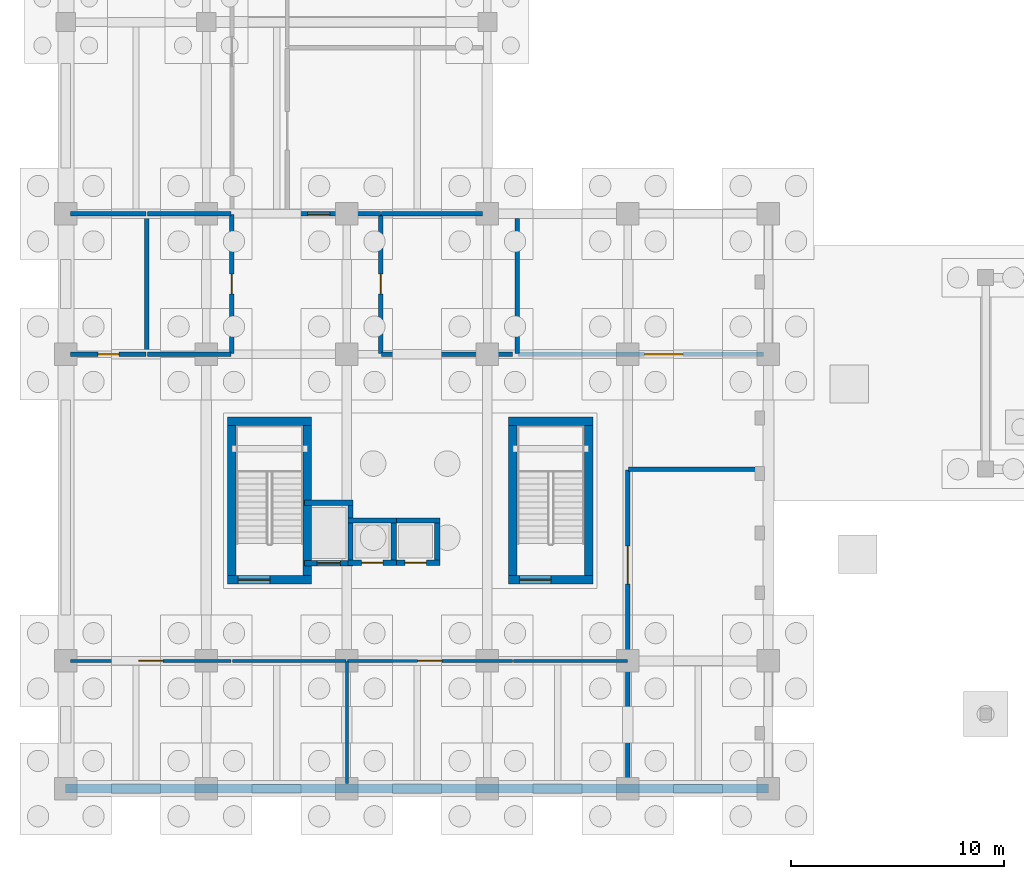
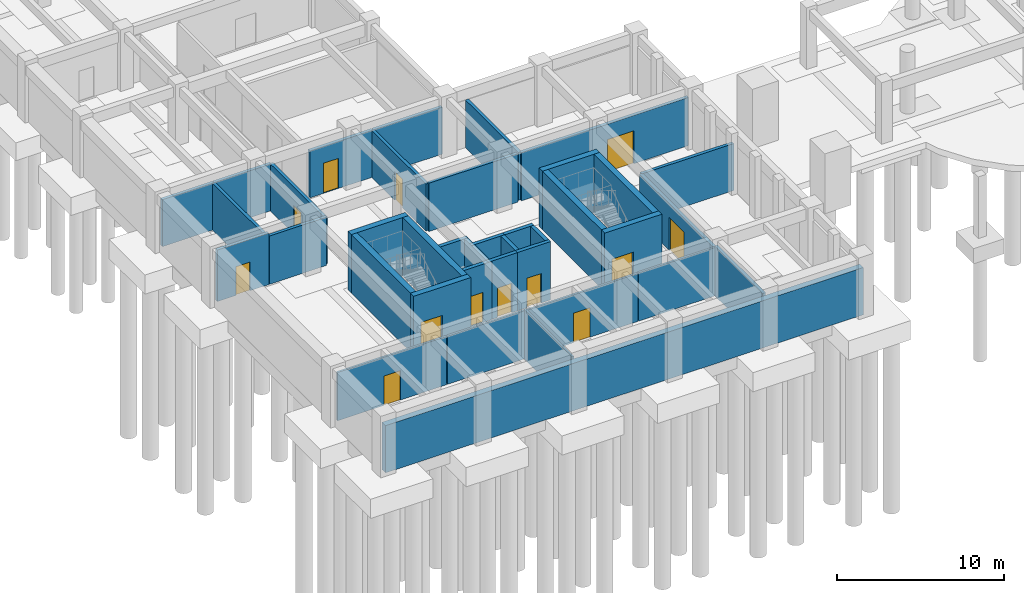
# One storey, part 15 of 28: 38 walls, 13 doors, 13 openings.
"""IFC4 building model written with IfcOpenShell, lengths in metres."""

from ifc_helpers import new_model, si_unit, direction, frame, frame_2d, origin, place, context, subcontext, project, spatial, rectangle, extrude, material, layer, layer_set, type_object, element, fill, save


model = new_model("IFC4")

# Units and contexts
model_context = context("Model", 3, precision=1e-05, world=origin(), true_north=direction((0.0, 1.0)))
body_context = subcontext(model_context, "Body", "Model", "MODEL_VIEW")
ifc_project = project(units=[si_unit("LENGTHUNIT", "METRE"), si_unit("AREAUNIT", "SQUARE_METRE"), si_unit("VOLUMEUNIT", "CUBIC_METRE"), si_unit("PLANEANGLEUNIT", "RADIAN"), si_unit("MASSUNIT", "GRAM", prefix="KILO")], contexts=[model_context])

# Site, building, storey
site_placement = place(None, origin())
site = spatial("IfcSite", under=ifc_project, at=site_placement, CompositionType="ELEMENT")
building_placement = place(site_placement, origin())
building = spatial("IfcBuilding", under=site, at=building_placement, Name="Miralva Faculty of Natural Sciences", CompositionType="ELEMENT")
storey_placement = place(building_placement, frame((0.0, 0.0, -4.5)))
storey = spatial("IfcBuildingStorey", under=building, at=storey_placement, Name="B1", CompositionType="ELEMENT", Elevation=-4.5)

# Wall, opening, door
ifc_material_1 = material(Name="Concrete C50/60", Category="concrete")
ifc_layer_1 = layer(ifc_material_1, 0.39990234375, Name="WL-CW01")
ifc_layer_set_1 = layer_set([ifc_layer_1], Name="Concrete C50/60")
wall_type_1 = type_object("IfcWallType", Name="WL-CW01", PredefinedType="SHEAR", material=ifc_layer_set_1)
wall_1_placement = place(storey_placement, frame((10.60009765625, 12.800048828125, 0.0), z_axis=(0.0, 0.0, 1.0), x_axis=(1.0, 0.0, 0.0)))
wall_1 = element("IfcWall", 1, at=wall_1_placement, inside=storey, type_object=wall_type_1, Name="Core C1 shear wall south B1", PredefinedType="SHEAR", context=body_context, shape_type="SweptSolid", body=[
    extrude(rectangle(XDim=3.949951171875, YDim=0.39990234375, at=frame_2d((1.97509765625, 0.0))), origin(), (0.0, 0.0, 1.0), 4.280029296875),
])
opening_1_placement = place(wall_1_placement, frame((0.5, 0.0, 0.0)))
opening_1 = element("IfcOpeningElement", 2, at=opening_1_placement, cuts=wall_1, Name="Opening D-11", PredefinedType="OPENING", context=body_context, shape_type="SweptSolid", body=[
    extrude(rectangle(XDim=1.5, YDim=2.199951171875, at=frame_2d((0.75, 1.10009765625))), frame((0.0, 0.2099609375, 0.0), z_axis=(0.0, -1.0, 0.0), x_axis=(1.0, 0.0, 0.0)), (0.0, 0.0, 1.0), 0.419921875),
])
ifc_material_2 = material(Name="Galvanised steel", Category="steel")
door_type_1 = type_object("IfcDoorType", Name="DR-DI11", OperationType="DOUBLE_DOOR_SINGLE_SWING", PredefinedType="DOOR", material=ifc_material_2)
door_1_placement = place(opening_1_placement, frame((1.5, 0.0, 0.0), z_axis=(0.0, 0.0, 1.0), x_axis=(-1.0, 0.0, 0.0)))
door_1 = element("IfcDoor", 3, at=door_1_placement, inside=storey, type_object=door_type_1, Name="Protected exit stair door Core C1 B1", OperationType="DOUBLE_DOOR_SINGLE_SWING", OverallHeight=2.199951171875, OverallWidth=1.5, PredefinedType="DOOR", context=body_context, shape_type="SweptSolid", body=[
    extrude(rectangle(XDim=1.5, YDim=2.199951171875, at=frame_2d((0.75, 1.10009765625))), frame((0.0, 0.02490234375, 0.0), z_axis=(0.0, -1.0, 0.0), x_axis=(1.0, 0.0, 0.0)), (0.0, 0.0, 1.0), 0.050048828125),
])
fill(opening_1, door_1)

# Walls
wall_2_placement = place(storey_placement, frame((10.60009765625, 20.25, 0.0), z_axis=(0.0, 0.0, 1.0), x_axis=(1.0, 0.0, 0.0)))
element("IfcWall", 4, at=wall_2_placement, inside=storey, type_object=wall_type_1, Name="Core C1 shear wall north B1", PredefinedType="SHEAR", context=body_context, shape_type="SweptSolid", body=[
    extrude(rectangle(XDim=3.949951171875, YDim=0.39990234375, at=frame_2d((1.97509765625, 0.0))), origin(), (0.0, 0.0, 1.0), 4.280029296875),
])
for number, where, z_axis, x_axis, name in (
    (5, (10.800048828125, 13.0, 0.0), (0.0, 0.0, 1.0), (0.0, 1.0, 0.0), "Core C1 shear wall west B1"),
    (6, (14.35009765625, 13.0, 0.0), (0.0, 0.0, 1.0), (0.0, 1.0, 0.0), "Core C1 shear wall east B1"),
):
    element("IfcWall", number, at=place(storey_placement, frame(where, z_axis=z_axis, x_axis=x_axis)), inside=storey, type_object=wall_type_1, Name=name, PredefinedType="SHEAR", context=body_context, shape_type="SweptSolid", body=[
        extrude(rectangle(XDim=7.050048828125, YDim=0.39990234375, at=frame_2d((3.52490234375, 0.0))), origin(), (0.0, 0.0, 1.0), 4.280029296875),
    ])

# Wall, opening, door
wall_3_placement = place(storey_placement, frame((23.800048828125, 12.800048828125, 0.0), z_axis=(0.0, 0.0, 1.0), x_axis=(1.0, 0.0, 0.0)))
wall_3 = element("IfcWall", 7, at=wall_3_placement, inside=storey, type_object=wall_type_1, Name="Core C1B shear wall south B1", PredefinedType="SHEAR", context=body_context, shape_type="SweptSolid", body=[
    extrude(rectangle(XDim=3.949951171875, YDim=0.39990234375, at=frame_2d((1.97509765625, 0.0))), origin(), (0.0, 0.0, 1.0), 4.280029296875),
])
opening_2_placement = place(wall_3_placement, frame((0.5, 0.0, 0.0)))
opening_2 = element("IfcOpeningElement", 8, at=opening_2_placement, cuts=wall_3, Name="Opening D-11", PredefinedType="OPENING", context=body_context, shape_type="SweptSolid", body=[
    extrude(rectangle(XDim=1.5, YDim=2.199951171875, at=frame_2d((0.75, 1.10009765625))), frame((0.0, 0.2099609375, 0.0), z_axis=(0.0, -1.0, 0.0), x_axis=(1.0, 0.0, 0.0)), (0.0, 0.0, 1.0), 0.419921875),
])
door_2_placement = place(opening_2_placement, frame((1.5, 0.0, 0.0), z_axis=(0.0, 0.0, 1.0), x_axis=(-1.0, 0.0, 0.0)))
door_2 = element("IfcDoor", 9, at=door_2_placement, inside=storey, type_object=door_type_1, Name="Protected exit stair door Core C1B B1", OperationType="DOUBLE_DOOR_SINGLE_SWING", OverallHeight=2.199951171875, OverallWidth=1.5, PredefinedType="DOOR", context=body_context, shape_type="SweptSolid", body=[
    extrude(rectangle(XDim=1.5, YDim=2.199951171875, at=frame_2d((0.75, 1.10009765625))), frame((0.0, 0.02490234375, 0.0), z_axis=(0.0, -1.0, 0.0), x_axis=(1.0, 0.0, 0.0)), (0.0, 0.0, 1.0), 0.050048828125),
])
fill(opening_2, door_2)

# Walls
wall_4_placement = place(storey_placement, frame((23.800048828125, 20.25, 0.0), z_axis=(0.0, 0.0, 1.0), x_axis=(1.0, 0.0, 0.0)))
element("IfcWall", 10, at=wall_4_placement, inside=storey, type_object=wall_type_1, Name="Core C1B shear wall north B1", PredefinedType="SHEAR", context=body_context, shape_type="SweptSolid", body=[
    extrude(rectangle(XDim=3.949951171875, YDim=0.39990234375, at=frame_2d((1.97509765625, 0.0))), origin(), (0.0, 0.0, 1.0), 4.280029296875),
])
for number, where, z_axis, x_axis, name in (
    (11, (24.0, 13.0, 0.0), (0.0, 0.0, 1.0), (0.0, 1.0, 0.0), "Core C1B shear wall west B1"),
    (12, (27.550048828125, 13.0, 0.0), (0.0, 0.0, 1.0), (0.0, 1.0, 0.0), "Core C1B shear wall east B1"),
):
    element("IfcWall", number, at=place(storey_placement, frame(where, z_axis=z_axis, x_axis=x_axis)), inside=storey, type_object=wall_type_1, Name=name, PredefinedType="SHEAR", context=body_context, shape_type="SweptSolid", body=[
        extrude(rectangle(XDim=7.050048828125, YDim=0.39990234375, at=frame_2d((3.52490234375, 0.0))), origin(), (0.0, 0.0, 1.0), 4.280029296875),
    ])

# Wall, opening, door
ifc_material_3 = material(Name="Concrete C40/50", Category="concrete")
ifc_layer_2 = layer(ifc_material_3, 0.25, Name="WL-CW04")
ifc_layer_set_2 = layer_set([ifc_layer_2], Name="Concrete C40/50")
wall_type_2 = type_object("IfcWallType", Name="WL-CW04", PredefinedType="SHEAR", material=ifc_layer_set_2)
wall_5_placement = place(storey_placement, frame((14.205078125, 13.580078125, 0.0), z_axis=(0.0, 0.0, 1.0), x_axis=(1.0, 0.0, 0.0)))
wall_5 = element("IfcWall", 13, at=wall_5_placement, inside=storey, type_object=wall_type_2, Name="Lift L-01 hoistway front wall B1", PredefinedType="SHEAR", context=body_context, shape_type="SweptSolid", body=[
    extrude(rectangle(XDim=2.2900390625, YDim=0.25, at=frame_2d((1.14501953125, 0.0))), origin(), (0.0, 0.0, 1.0), 4.260009765625),
])
opening_3_placement = place(wall_5_placement, frame((0.594970703125, 0.0, 0.0)))
opening_3 = element("IfcOpeningElement", 14, at=opening_3_placement, cuts=wall_5, Name="Opening LD-01", PredefinedType="OPENING", context=body_context, shape_type="SweptSolid", body=[
    extrude(rectangle(XDim=1.10009765625, YDim=2.199951171875, at=frame_2d((0.550048828125, 1.10009765625))), frame((0.0, 0.135009765625, 0.0), z_axis=(0.0, -1.0, 0.0), x_axis=(1.0, 0.0, 0.0)), (0.0, 0.0, 1.0), 0.27001953125),
])
door_type_2 = type_object("IfcDoorType", Name="DR-LD01", OperationType="SLIDING_TO_LEFT", PredefinedType="DOOR", material=ifc_material_2)
door_3_placement = place(opening_3_placement, frame((1.10009765625, 0.0, 0.0), z_axis=(0.0, 0.0, 1.0), x_axis=(-1.0, 0.0, 0.0)))
door_3 = element("IfcDoor", 15, at=door_3_placement, inside=storey, type_object=door_type_2, Name="Lift L-01 sliding landing door B1", OperationType="SLIDING_TO_LEFT", OverallHeight=2.199951171875, OverallWidth=1.10009765625, PredefinedType="DOOR", context=body_context, shape_type="SweptSolid", body=[
    extrude(rectangle(XDim=1.10009765625, YDim=2.199951171875, at=frame_2d((0.550048828125, 1.10009765625))), frame((0.0, 0.02490234375, 0.0), z_axis=(0.0, -1.0, 0.0), x_axis=(1.0, 0.0, 0.0)), (0.0, 0.0, 1.0), 0.050048828125),
])
fill(opening_3, door_3)

# Walls
wall_6_placement = place(storey_placement, frame((14.205078125, 16.419921875, 0.0), z_axis=(0.0, 0.0, 1.0), x_axis=(1.0, 0.0, 0.0)))
element("IfcWall", 16, at=wall_6_placement, inside=storey, type_object=wall_type_2, Name="Lift L-01 hoistway rear wall B1", PredefinedType="SHEAR", context=body_context, shape_type="SweptSolid", body=[
    extrude(rectangle(XDim=2.2900390625, YDim=0.25, at=frame_2d((1.14501953125, 0.0))), origin(), (0.0, 0.0, 1.0), 4.260009765625),
])
wall_7_placement = place(storey_placement, frame((16.3701171875, 13.705078125, 0.0), z_axis=(0.0, 0.0, 1.0), x_axis=(0.0, 1.0, 0.0)))
element("IfcWall", 17, at=wall_7_placement, inside=storey, type_object=wall_type_2, Name="Lift L-01 hoistway E wall B1", PredefinedType="SHEAR", context=body_context, shape_type="SweptSolid", body=[
    extrude(rectangle(XDim=2.58984375, YDim=0.25, at=frame_2d((1.294921875, 0.0))), origin(), (0.0, 0.0, 1.0), 4.260009765625),
])

# Wall, opening, door
wall_8_placement = place(storey_placement, frame((16.2451171875, 13.60498046875, 0.0), z_axis=(0.0, 0.0, 1.0), x_axis=(1.0, 0.0, 0.0)))
wall_8 = element("IfcWall", 18, at=wall_8_placement, inside=storey, type_object=wall_type_2, Name="Lift L-02 hoistway front wall B1", PredefinedType="SHEAR", context=body_context, shape_type="SweptSolid", body=[
    extrude(rectangle(XDim=2.289794921875, YDim=0.25, at=frame_2d((1.14501953125, 0.0))), origin(), (0.0, 0.0, 1.0), 4.260009765625),
])
opening_4_placement = place(wall_8_placement, frame((0.64501953125, 0.0, 0.0)))
opening_4 = element("IfcOpeningElement", 19, at=opening_4_placement, cuts=wall_8, Name="Opening LD-02", PredefinedType="OPENING", context=body_context, shape_type="SweptSolid", body=[
    extrude(rectangle(XDim=1.0, YDim=2.14990234375, at=frame_2d((0.5, 1.074951171875))), frame((0.0, 0.135009765625, 0.0), z_axis=(0.0, -1.0, 0.0), x_axis=(1.0, 0.0, 0.0)), (0.0, 0.0, 1.0), 0.27001953125),
])
door_type_3 = type_object("IfcDoorType", Name="DR-LD02", OperationType="SLIDING_TO_LEFT", PredefinedType="DOOR", material=ifc_material_2)
door_4_placement = place(opening_4_placement, frame((1.0, 0.0, 0.0), z_axis=(0.0, 0.0, 1.0), x_axis=(-1.0, 0.0, 0.0)))
door_4 = element("IfcDoor", 20, at=door_4_placement, inside=storey, type_object=door_type_3, Name="Lift L-02 sliding landing door B1", OperationType="SLIDING_TO_LEFT", OverallHeight=2.14990234375, OverallWidth=1.0, PredefinedType="DOOR", context=body_context, shape_type="SweptSolid", body=[
    extrude(rectangle(XDim=1.0, YDim=2.14990234375, at=frame_2d((0.5, 1.074951171875))), frame((0.0, 0.02490234375, 0.0), z_axis=(0.0, -1.0, 0.0), x_axis=(1.0, 0.0, 0.0)), (0.0, 0.0, 1.0), 0.050048828125),
])
fill(opening_4, door_4)

# Walls
wall_9_placement = place(storey_placement, frame((16.2451171875, 15.594970703125, 0.0), z_axis=(0.0, 0.0, 1.0), x_axis=(1.0, 0.0, 0.0)))
element("IfcWall", 21, at=wall_9_placement, inside=storey, type_object=wall_type_2, Name="Lift L-02 hoistway rear wall B1", PredefinedType="SHEAR", context=body_context, shape_type="SweptSolid", body=[
    extrude(rectangle(XDim=2.289794921875, YDim=0.25, at=frame_2d((1.14501953125, 0.0))), origin(), (0.0, 0.0, 1.0), 4.260009765625),
])
wall_10_placement = place(storey_placement, frame((18.409912109375, 13.72998046875, 0.0), z_axis=(0.0, 0.0, 1.0), x_axis=(0.0, 1.0, 0.0)))
element("IfcWall", 22, at=wall_10_placement, inside=storey, type_object=wall_type_2, Name="Lift L-02 hoistway E wall B1", PredefinedType="SHEAR", context=body_context, shape_type="SweptSolid", body=[
    extrude(rectangle(XDim=1.739990234375, YDim=0.25, at=frame_2d((0.8701171875, 0.0))), origin(), (0.0, 0.0, 1.0), 4.260009765625),
])

# Wall, opening, door
wall_11_placement = place(storey_placement, frame((18.284912109375, 13.60498046875, 0.0), z_axis=(0.0, 0.0, 1.0), x_axis=(1.0, 0.0, 0.0)))
wall_11 = element("IfcWall", 23, at=wall_11_placement, inside=storey, type_object=wall_type_2, Name="Lift L-03 hoistway front wall B1", PredefinedType="SHEAR", context=body_context, shape_type="SweptSolid", body=[
    extrude(rectangle(XDim=2.2900390625, YDim=0.25, at=frame_2d((1.14501953125, 0.0))), origin(), (0.0, 0.0, 1.0), 4.260009765625),
])
opening_5_placement = place(wall_11_placement, frame((0.64501953125, 0.0, 0.0)))
opening_5 = element("IfcOpeningElement", 24, at=opening_5_placement, cuts=wall_11, Name="Opening LD-02", PredefinedType="OPENING", context=body_context, shape_type="SweptSolid", body=[
    extrude(rectangle(XDim=1.0, YDim=2.14990234375, at=frame_2d((0.5, 1.074951171875))), frame((0.0, 0.135009765625, 0.0), z_axis=(0.0, -1.0, 0.0), x_axis=(1.0, 0.0, 0.0)), (0.0, 0.0, 1.0), 0.27001953125),
])
door_5_placement = place(opening_5_placement, frame((1.0, 0.0, 0.0), z_axis=(0.0, 0.0, 1.0), x_axis=(-1.0, 0.0, 0.0)))
door_5 = element("IfcDoor", 25, at=door_5_placement, inside=storey, type_object=door_type_3, Name="Lift L-03 sliding landing door B1", OperationType="SLIDING_TO_LEFT", OverallHeight=2.14990234375, OverallWidth=1.0, PredefinedType="DOOR", context=body_context, shape_type="SweptSolid", body=[
    extrude(rectangle(XDim=1.0, YDim=2.14990234375, at=frame_2d((0.5, 1.074951171875))), frame((0.0, 0.02490234375, 0.0), z_axis=(0.0, -1.0, 0.0), x_axis=(1.0, 0.0, 0.0)), (0.0, 0.0, 1.0), 0.050048828125),
])
fill(opening_5, door_5)

# Walls
wall_12_placement = place(storey_placement, frame((18.284912109375, 15.594970703125, 0.0), z_axis=(0.0, 0.0, 1.0), x_axis=(1.0, 0.0, 0.0)))
element("IfcWall", 26, at=wall_12_placement, inside=storey, type_object=wall_type_2, Name="Lift L-03 hoistway rear wall B1", PredefinedType="SHEAR", context=body_context, shape_type="SweptSolid", body=[
    extrude(rectangle(XDim=2.2900390625, YDim=0.25, at=frame_2d((1.14501953125, 0.0))), origin(), (0.0, 0.0, 1.0), 4.260009765625),
])
wall_13_placement = place(storey_placement, frame((20.449951171875, 13.72998046875, 0.0), z_axis=(0.0, 0.0, 1.0), x_axis=(0.0, 1.0, 0.0)))
element("IfcWall", 27, at=wall_13_placement, inside=storey, type_object=wall_type_2, Name="Lift L-03 hoistway E wall B1", PredefinedType="SHEAR", context=body_context, shape_type="SweptSolid", body=[
    extrude(rectangle(XDim=1.739990234375, YDim=0.25, at=frame_2d((0.8701171875, 0.0))), origin(), (0.0, 0.0, 1.0), 4.260009765625),
])
ifc_material_4 = material(Name="Concrete C35/45", Category="concrete")
ifc_layer_3 = layer(ifc_material_4, 0.219970703125, Name="WL-PT01")
ifc_layer_set_3 = layer_set([ifc_layer_3], Name="Concrete C35/45")
wall_type_3 = type_object("IfcWallType", Name="WL-PT01", PredefinedType="PARTITIONING", material=ifc_layer_set_3)
wall_14_placement = place(storey_placement, frame((29.39990234375, 3.22998046875, 0.0), z_axis=(0.0, 0.0, 1.0), x_axis=(0.0, 1.0, 0.0)))
element("IfcWall", 28, at=wall_14_placement, inside=storey, type_object=wall_type_3, Name="Interior partition PT-01 B1-4", PredefinedType="PARTITIONING", context=body_context, shape_type="SweptSolid", body=[
    extrude(rectangle(XDim=5.739990234375, YDim=0.219970703125, at=frame_2d((2.8701171875, 0.0))), origin(), (0.0, 0.0, 1.0), 3.625),
])

# Wall, opening, door
wall_15_placement = place(storey_placement, frame((29.39990234375, 9.030029296875, 0.0), z_axis=(0.0, 0.0, 1.0), x_axis=(0.0, 1.0, 0.0)))
wall_15 = element("IfcWall", 29, at=wall_15_placement, inside=storey, type_object=wall_type_3, Name="Interior partition PT-01 B1-7", PredefinedType="PARTITIONING", context=body_context, shape_type="SweptSolid", body=[
    extrude(rectangle(XDim=8.93994140625, YDim=0.219970703125, at=frame_2d((4.469970703125, 0.0))), origin(), (0.0, 0.0, 1.0), 3.425048828125),
])
opening_6_placement = place(wall_15_placement, frame((3.570068359375, 0.0, 0.0)))
opening_6 = element("IfcOpeningElement", 30, at=opening_6_placement, cuts=wall_15, Name="Opening D-16", PredefinedType="OPENING", context=body_context, shape_type="SweptSolid", body=[
    extrude(rectangle(XDim=1.800048828125, YDim=2.39990234375, at=frame_2d((0.89990234375, 1.199951171875))), frame((0.0, 0.119873046875, 0.0), z_axis=(0.0, -1.0, 0.0), x_axis=(1.0, 0.0, 0.0)), (0.0, 0.0, 1.0), 0.239990234375),
])
door_type_4 = type_object("IfcDoorType", Name="DR-DI16", OperationType="DOUBLE_DOOR_SINGLE_SWING", PredefinedType="DOOR", material=ifc_material_2)
door_6_placement = place(opening_6_placement, origin())
door_6 = element("IfcDoor", 31, at=door_6_placement, inside=storey, type_object=door_type_4, Name="Interior door D-16 B1-3", OperationType="DOUBLE_DOOR_SINGLE_SWING", OverallHeight=2.39990234375, OverallWidth=1.800048828125, PredefinedType="DOOR", context=body_context, shape_type="SweptSolid", body=[
    extrude(rectangle(XDim=1.800048828125, YDim=2.39990234375, at=frame_2d((0.89990234375, 1.199951171875))), frame((0.0, 0.02490234375, 0.0), z_axis=(0.0, -1.0, 0.0), x_axis=(1.0, 0.0, 0.0)), (0.0, 0.0, 1.0), 0.050048828125),
])
fill(opening_6, door_6)

# Walls
wall_16_placement = place(storey_placement, frame((29.429931640625, 18.0, 0.0), z_axis=(0.0, 0.0, 1.0), x_axis=(1.0, 0.0, 0.0)))
element("IfcWall", 32, at=wall_16_placement, inside=storey, type_object=wall_type_3, Name="Interior partition PT-01 B1-8", PredefinedType="PARTITIONING", context=body_context, shape_type="SweptSolid", body=[
    extrude(rectangle(XDim=6.340087890625, YDim=0.219970703125, at=frame_2d((3.169921875, 0.0))), origin(), (0.0, 0.0, 1.0), 3.425048828125),
])
wall_17_placement = place(storey_placement, frame((24.199951171875, 23.429931640625, 0.0), z_axis=(0.0, 0.0, 1.0), x_axis=(0.0, 1.0, 0.0)))
element("IfcWall", 33, at=wall_17_placement, inside=storey, type_object=wall_type_3, Name="Interior partition PT-01 B1-15", PredefinedType="PARTITIONING", context=body_context, shape_type="SweptSolid", body=[
    extrude(rectangle(XDim=6.340087890625, YDim=0.219970703125, at=frame_2d((3.169921875, 0.0))), origin(), (0.0, 0.0, 1.0), 3.4951171875),
])
wall_18_placement = place(storey_placement, frame((17.830078125, 30.0, 0.0), z_axis=(0.0, 0.0, 1.0), x_axis=(1.0, 0.0, 0.0)))
element("IfcWall", 34, at=wall_18_placement, inside=storey, type_object=wall_type_3, Name="Interior partition PT-01 B1-18", PredefinedType="PARTITIONING", context=body_context, shape_type="SweptSolid", body=[
    extrude(rectangle(XDim=4.739990234375, YDim=0.219970703125, at=frame_2d((2.3701171875, 0.0))), origin(), (0.0, 0.0, 1.0), 3.425048828125),
])

# Wall, opening, door
wall_19_placement = place(storey_placement, frame((24.22998046875, 23.39990234375, 0.0), z_axis=(0.0, 0.0, 1.0), x_axis=(1.0, 0.0, 0.0)))
wall_19 = element("IfcWall", 35, at=wall_19_placement, inside=storey, type_object=wall_type_3, Name="Interior partition PT-01 B1-19", PredefinedType="PARTITIONING", context=body_context, shape_type="SweptSolid", body=[
    extrude(rectangle(XDim=11.5400390625, YDim=0.219970703125, at=frame_2d((5.77001953125, 0.0))), origin(), (0.0, 0.0, 1.0), 3.52490234375),
])
opening_7_placement = place(wall_19_placement, frame((5.949951171875, 0.0, 0.0)))
opening_7 = element("IfcOpeningElement", 36, at=opening_7_placement, cuts=wall_19, Name="Opening D-16", PredefinedType="OPENING", context=body_context, shape_type="SweptSolid", body=[
    extrude(rectangle(XDim=1.800048828125, YDim=2.39990234375, at=frame_2d((0.89990234375, 1.199951171875))), frame((0.0, 0.119873046875, 0.0), z_axis=(0.0, -1.0, 0.0), x_axis=(1.0, 0.0, 0.0)), (0.0, 0.0, 1.0), 0.239990234375),
])
door_7_placement = place(opening_7_placement, origin())
door_7 = element("IfcDoor", 37, at=door_7_placement, inside=storey, type_object=door_type_4, Name="Interior door D-16 B1-4", OperationType="DOUBLE_DOOR_SINGLE_SWING", OverallHeight=2.39990234375, OverallWidth=1.800048828125, PredefinedType="DOOR", context=body_context, shape_type="SweptSolid", body=[
    extrude(rectangle(XDim=1.800048828125, YDim=2.39990234375, at=frame_2d((0.89990234375, 1.199951171875))), frame((0.0, 0.02490234375, 0.0), z_axis=(0.0, -1.0, 0.0), x_axis=(1.0, 0.0, 0.0)), (0.0, 0.0, 1.0), 0.050048828125),
])
fill(opening_7, door_7)

wall_20_placement = place(storey_placement, frame((13.429931640625, 30.0, 0.0), z_axis=(0.0, 0.0, 1.0), x_axis=(1.0, 0.0, 0.0)))
wall_20 = element("IfcWall", 38, at=wall_20_placement, inside=storey, type_object=wall_type_3, Name="Interior partition PT-01 B1-20", PredefinedType="PARTITIONING", context=body_context, shape_type="SweptSolid", body=[
    extrude(rectangle(XDim=4.340087890625, YDim=0.219970703125, at=frame_2d((2.169921875, 0.0))), origin(), (0.0, 0.0, 1.0), 3.425048828125),
])
opening_8_placement = place(wall_20_placement, frame((0.925048828125, 0.0, 0.0)))
opening_8 = element("IfcOpeningElement", 39, at=opening_8_placement, cuts=wall_20, Name="Opening D-15", PredefinedType="OPENING", context=body_context, shape_type="SweptSolid", body=[
    extrude(rectangle(XDim=1.050048828125, YDim=2.199951171875, at=frame_2d((0.52490234375, 1.10009765625))), frame((0.0, 0.119873046875, 0.0), z_axis=(0.0, -1.0, 0.0), x_axis=(1.0, 0.0, 0.0)), (0.0, 0.0, 1.0), 0.239990234375),
])
door_type_5 = type_object("IfcDoorType", Name="DR-DI15", OperationType="NOTDEFINED", PredefinedType="DOOR", material=ifc_material_2)
door_8_placement = place(opening_8_placement, origin())
door_8 = element("IfcDoor", 40, at=door_8_placement, inside=storey, type_object=door_type_5, Name="Interior door D-15 B1-8", OperationType="SINGLE_SWING_LEFT", OverallHeight=2.199951171875, OverallWidth=1.050048828125, PredefinedType="DOOR", context=body_context, shape_type="SweptSolid", body=[
    extrude(rectangle(XDim=1.050048828125, YDim=2.199951171875, at=frame_2d((0.52490234375, 1.10009765625))), frame((0.0, 0.02490234375, 0.0), z_axis=(0.0, -1.0, 0.0), x_axis=(1.0, 0.0, 0.0)), (0.0, 0.0, 1.0), 0.050048828125),
])
fill(opening_8, door_8)

# Wall
ifc_material_5 = material(Name="Gypsum plasterboard")
ifc_layer_4 = layer(ifc_material_5, 0.139892578125, Name="WL-PT04")
ifc_layer_set_4 = layer_set([ifc_layer_4], Name="Gypsum plasterboard")
wall_type_4 = type_object("IfcWallType", Name="WL-PT04", PredefinedType="PARTITIONING", material=ifc_layer_set_4)
wall_21_placement = place(storey_placement, frame((16.199951171875, 3.22998046875, 0.0), z_axis=(0.0, 0.0, 1.0), x_axis=(0.0, 1.0, 0.0)))
element("IfcWall", 41, at=wall_21_placement, inside=storey, type_object=wall_type_4, Name="Interior partition PT-04 B1-1", PredefinedType="PARTITIONING", context=body_context, shape_type="SweptSolid", body=[
    extrude(rectangle(XDim=5.739990234375, YDim=0.139892578125, at=frame_2d((2.8701171875, 0.0))), origin(), (0.0, 0.0, 1.0), 3.625),
])

# Wall, opening, door
wall_22_placement = place(storey_placement, frame((3.22998046875, 9.0, 0.0), z_axis=(0.0, 0.0, 1.0), x_axis=(1.0, 0.0, 0.0)))
wall_22 = element("IfcWall", 42, at=wall_22_placement, inside=storey, type_object=wall_type_4, Name="Interior partition PT-04 B1-2", PredefinedType="PARTITIONING", context=body_context, shape_type="SweptSolid", body=[
    extrude(rectangle(XDim=7.5400390625, YDim=0.139892578125, at=frame_2d((3.77001953125, 0.0))), origin(), (0.0, 0.0, 1.0), 3.52490234375),
])
opening_9_placement = place(wall_22_placement, frame((3.195068359375, 0.0, 0.0)))
opening_9 = element("IfcOpeningElement", 43, at=opening_9_placement, cuts=wall_22, Name="Opening D-24", PredefinedType="OPENING", context=body_context, shape_type="SweptSolid", body=[
    extrude(rectangle(XDim=1.14990234375, YDim=2.14990234375, at=frame_2d((0.574951171875, 1.074951171875))), frame((0.0, 0.079833984375, 0.0), z_axis=(0.0, -1.0, 0.0), x_axis=(1.0, 0.0, 0.0)), (0.0, 0.0, 1.0), 0.159912109375),
])
ifc_material_6 = material(Name="Anodised aluminium", Category="aluminium")
door_type_6 = type_object("IfcDoorType", Name="DR-DI24", OperationType="NOTDEFINED", PredefinedType="DOOR", material=ifc_material_6)
door_9_placement = place(opening_9_placement, origin())
door_9 = element("IfcDoor", 44, at=door_9_placement, inside=storey, type_object=door_type_6, Name="Interior door D-24 B1-1", OperationType="SINGLE_SWING_RIGHT", OverallHeight=2.14990234375, OverallWidth=1.14990234375, PredefinedType="DOOR", context=body_context, shape_type="SweptSolid", body=[
    extrude(rectangle(XDim=1.14990234375, YDim=2.14990234375, at=frame_2d((0.574951171875, 1.074951171875))), frame((0.0, 0.02490234375, 0.0), z_axis=(0.0, -1.0, 0.0), x_axis=(1.0, 0.0, 0.0)), (0.0, 0.0, 1.0), 0.050048828125),
])
fill(opening_9, door_9)

# Walls
wall_23_placement = place(storey_placement, frame((10.830078125, 9.0, 0.0), z_axis=(0.0, 0.0, 1.0), x_axis=(1.0, 0.0, 0.0)))
element("IfcWall", 45, at=wall_23_placement, inside=storey, type_object=wall_type_4, Name="Interior partition PT-04 B1-3", PredefinedType="PARTITIONING", context=body_context, shape_type="SweptSolid", body=[
    extrude(rectangle(XDim=5.33984375, YDim=0.139892578125, at=frame_2d((2.669921875, 0.0))), origin(), (0.0, 0.0, 1.0), 3.52490234375),
])
wall_24_placement = place(storey_placement, frame((24.030029296875, 9.0, 0.0), z_axis=(0.0, 0.0, 1.0), x_axis=(1.0, 0.0, 0.0)))
element("IfcWall", 46, at=wall_24_placement, inside=storey, type_object=wall_type_4, Name="Interior partition PT-04 B1-5", PredefinedType="PARTITIONING", context=body_context, shape_type="SweptSolid", body=[
    extrude(rectangle(XDim=5.340087890625, YDim=0.139892578125, at=frame_2d((2.669921875, 0.0))), origin(), (0.0, 0.0, 1.0), 3.52490234375),
])

# Wall, opening, door
wall_25_placement = place(storey_placement, frame((16.22998046875, 9.0, 0.0), z_axis=(0.0, 0.0, 1.0), x_axis=(1.0, 0.0, 0.0)))
wall_25 = element("IfcWall", 47, at=wall_25_placement, inside=storey, type_object=wall_type_4, Name="Interior partition PT-04 B1-6", PredefinedType="PARTITIONING", context=body_context, shape_type="SweptSolid", body=[
    extrude(rectangle(XDim=7.739990234375, YDim=0.139892578125, at=frame_2d((3.8701171875, 0.0))), origin(), (0.0, 0.0, 1.0), 3.4951171875),
])
opening_10_placement = place(wall_25_placement, frame((3.294921875, 0.0, 0.0)))
opening_10 = element("IfcOpeningElement", 48, at=opening_10_placement, cuts=wall_25, Name="Opening D-24", PredefinedType="OPENING", context=body_context, shape_type="SweptSolid", body=[
    extrude(rectangle(XDim=1.14990234375, YDim=2.14990234375, at=frame_2d((0.574951171875, 1.074951171875))), frame((0.0, 0.079833984375, 0.0), z_axis=(0.0, -1.0, 0.0), x_axis=(1.0, 0.0, 0.0)), (0.0, 0.0, 1.0), 0.159912109375),
])
door_10_placement = place(opening_10_placement, origin())
door_10 = element("IfcDoor", 49, at=door_10_placement, inside=storey, type_object=door_type_6, Name="Interior door D-24 B1-2", OperationType="SINGLE_SWING_LEFT", OverallHeight=2.14990234375, OverallWidth=1.14990234375, PredefinedType="DOOR", context=body_context, shape_type="SweptSolid", body=[
    extrude(rectangle(XDim=1.14990234375, YDim=2.14990234375, at=frame_2d((0.574951171875, 1.074951171875))), frame((0.0, 0.02490234375, 0.0), z_axis=(0.0, -1.0, 0.0), x_axis=(1.0, 0.0, 0.0)), (0.0, 0.0, 1.0), 0.050048828125),
])
fill(opening_10, door_10)

# Wall
ifc_layer_5 = layer(ifc_material_5, 0.2099609375, Name="WL-PT06")
ifc_layer_set_5 = layer_set([ifc_layer_5], Name="Gypsum plasterboard")
wall_type_5 = type_object("IfcWallType", Name="WL-PT06", PredefinedType="PLUMBINGWALL", material=ifc_layer_set_5)
wall_26_placement = place(storey_placement, frame((6.800048828125, 23.429931640625, 0.0), z_axis=(0.0, 0.0, 1.0), x_axis=(0.0, 1.0, 0.0)))
element("IfcWall", 50, at=wall_26_placement, inside=storey, type_object=wall_type_5, Name="Interior partition PT-06 B1-9", PredefinedType="PLUMBINGWALL", context=body_context, shape_type="SweptSolid", body=[
    extrude(rectangle(XDim=6.5400390625, YDim=0.2099609375, at=frame_2d((3.27001953125, 0.0))), origin(), (0.0, 0.0, 1.0), 3.425048828125),
])

# Wall, opening, door
wall_27_placement = place(storey_placement, frame((3.22998046875, 23.39990234375, 0.0), z_axis=(0.0, 0.0, 1.0), x_axis=(1.0, 0.0, 0.0)))
wall_27 = element("IfcWall", 51, at=wall_27_placement, inside=storey, type_object=wall_type_5, Name="Interior partition PT-06 B1-10", PredefinedType="PLUMBINGWALL", context=body_context, shape_type="SweptSolid", body=[
    extrude(rectangle(XDim=3.5400390625, YDim=0.2099609375, at=frame_2d((1.77001953125, 0.0))), origin(), (0.0, 0.0, 1.0), 3.7548828125),
])
opening_11_placement = place(wall_27_placement, frame((1.280029296875, 0.0, 0.0)))
opening_11 = element("IfcOpeningElement", 52, at=opening_11_placement, cuts=wall_27, Name="Opening D-26", PredefinedType="OPENING", context=body_context, shape_type="SweptSolid", body=[
    extrude(rectangle(XDim=0.97998046875, YDim=2.10009765625, at=frame_2d((0.489990234375, 1.050048828125))), frame((0.0, 0.114990234375, 0.0), z_axis=(0.0, -1.0, 0.0), x_axis=(1.0, 0.0, 0.0)), (0.0, 0.0, 1.0), 0.22998046875),
])
door_type_7 = type_object("IfcDoorType", Name="DR-DI26", OperationType="NOTDEFINED", PredefinedType="DOOR", material=ifc_material_6)
door_11_placement = place(opening_11_placement, origin())
door_11 = element("IfcDoor", 53, at=door_11_placement, inside=storey, type_object=door_type_7, Name="Interior door D-26 B1-5", OperationType="SINGLE_SWING_RIGHT", OverallHeight=2.10009765625, OverallWidth=0.97998046875, PredefinedType="DOOR", context=body_context, shape_type="SweptSolid", body=[
    extrude(rectangle(XDim=0.97998046875, YDim=2.10009765625, at=frame_2d((0.489990234375, 1.050048828125))), frame((0.0, 0.02490234375, 0.0), z_axis=(0.0, -1.0, 0.0), x_axis=(1.0, 0.0, 0.0)), (0.0, 0.0, 1.0), 0.050048828125),
])
fill(opening_11, door_11)

# Walls
wall_28_placement = place(storey_placement, frame((3.22998046875, 30.0, 0.0), z_axis=(0.0, 0.0, 1.0), x_axis=(1.0, 0.0, 0.0)))
element("IfcWall", 54, at=wall_28_placement, inside=storey, type_object=wall_type_5, Name="Interior partition PT-06 B1-11", PredefinedType="PLUMBINGWALL", context=body_context, shape_type="SweptSolid", body=[
    extrude(rectangle(XDim=3.5400390625, YDim=0.2099609375, at=frame_2d((1.77001953125, 0.0))), origin(), (0.0, 0.0, 1.0), 3.425048828125),
])
wall_29_placement = place(storey_placement, frame((6.830078125, 23.39990234375, 0.0), z_axis=(0.0, 0.0, 1.0), x_axis=(1.0, 0.0, 0.0)))
element("IfcWall", 55, at=wall_29_placement, inside=storey, type_object=wall_type_5, Name="Interior partition PT-06 B1-12", PredefinedType="PLUMBINGWALL", context=body_context, shape_type="SweptSolid", body=[
    extrude(rectangle(XDim=3.93994140625, YDim=0.2099609375, at=frame_2d((1.969970703125, 0.0))), origin(), (0.0, 0.0, 1.0), 3.52490234375),
])

# Wall, opening, door
wall_30_placement = place(storey_placement, frame((10.800048828125, 23.429931640625, 0.0), z_axis=(0.0, 0.0, 1.0), x_axis=(0.0, 1.0, 0.0)))
wall_30 = element("IfcWall", 56, at=wall_30_placement, inside=storey, type_object=wall_type_5, Name="Interior partition PT-06 B1-13", PredefinedType="PLUMBINGWALL", context=body_context, shape_type="SweptSolid", body=[
    extrude(rectangle(XDim=6.5400390625, YDim=0.2099609375, at=frame_2d((3.27001953125, 0.0))), origin(), (0.0, 0.0, 1.0), 3.43505859375),
])
opening_12_placement = place(wall_30_placement, frame((2.81005859375, 0.0, 0.0)))
opening_12 = element("IfcOpeningElement", 57, at=opening_12_placement, cuts=wall_30, Name="Opening D-27", PredefinedType="OPENING", context=body_context, shape_type="SweptSolid", body=[
    extrude(rectangle(XDim=0.919921875, YDim=2.10009765625, at=frame_2d((0.4599609375, 1.050048828125))), frame((0.0, 0.114990234375, 0.0), z_axis=(0.0, -1.0, 0.0), x_axis=(1.0, 0.0, 0.0)), (0.0, 0.0, 1.0), 0.22998046875),
])
door_type_8 = type_object("IfcDoorType", Name="DR-DI27", OperationType="NOTDEFINED", PredefinedType="DOOR", material=ifc_material_6)
door_12_placement = place(opening_12_placement, origin())
door_12 = element("IfcDoor", 58, at=door_12_placement, inside=storey, type_object=door_type_8, Name="Interior door D-27 B1-6", OperationType="SINGLE_SWING_LEFT", OverallHeight=2.10009765625, OverallWidth=0.919921875, PredefinedType="DOOR", context=body_context, shape_type="SweptSolid", body=[
    extrude(rectangle(XDim=0.919921875, YDim=2.10009765625, at=frame_2d((0.4599609375, 1.050048828125))), frame((0.0, 0.02490234375, 0.0), z_axis=(0.0, -1.0, 0.0), x_axis=(1.0, 0.0, 0.0)), (0.0, 0.0, 1.0), 0.050048828125),
])
fill(opening_12, door_12)

# Wall
wall_31_placement = place(storey_placement, frame((6.830078125, 30.0, 0.0), z_axis=(0.0, 0.0, 1.0), x_axis=(1.0, 0.0, 0.0)))
element("IfcWall", 59, at=wall_31_placement, inside=storey, type_object=wall_type_5, Name="Interior partition PT-06 B1-14", PredefinedType="PLUMBINGWALL", context=body_context, shape_type="SweptSolid", body=[
    extrude(rectangle(XDim=3.93994140625, YDim=0.2099609375, at=frame_2d((1.969970703125, 0.0))), origin(), (0.0, 0.0, 1.0), 3.425048828125),
])

# Wall, opening, door
wall_32_placement = place(storey_placement, frame((17.800048828125, 23.429931640625, 0.0), z_axis=(0.0, 0.0, 1.0), x_axis=(0.0, 1.0, 0.0)))
wall_32 = element("IfcWall", 60, at=wall_32_placement, inside=storey, type_object=wall_type_5, Name="Interior partition PT-06 B1-16", PredefinedType="PLUMBINGWALL", context=body_context, shape_type="SweptSolid", body=[
    extrude(rectangle(XDim=6.5400390625, YDim=0.2099609375, at=frame_2d((3.27001953125, 0.0))), origin(), (0.0, 0.0, 1.0), 3.425048828125),
])
opening_13_placement = place(wall_32_placement, frame((2.81005859375, 0.0, 0.0)))
opening_13 = element("IfcOpeningElement", 61, at=opening_13_placement, cuts=wall_32, Name="Opening D-27", PredefinedType="OPENING", context=body_context, shape_type="SweptSolid", body=[
    extrude(rectangle(XDim=0.919921875, YDim=2.10009765625, at=frame_2d((0.4599609375, 1.050048828125))), frame((0.0, 0.114990234375, 0.0), z_axis=(0.0, -1.0, 0.0), x_axis=(1.0, 0.0, 0.0)), (0.0, 0.0, 1.0), 0.22998046875),
])
door_13_placement = place(opening_13_placement, origin())
door_13 = element("IfcDoor", 62, at=door_13_placement, inside=storey, type_object=door_type_8, Name="Interior door D-27 B1-7", OperationType="SINGLE_SWING_RIGHT", OverallHeight=2.10009765625, OverallWidth=0.919921875, PredefinedType="DOOR", context=body_context, shape_type="SweptSolid", body=[
    extrude(rectangle(XDim=0.919921875, YDim=2.10009765625, at=frame_2d((0.4599609375, 1.050048828125))), frame((0.0, 0.02490234375, 0.0), z_axis=(0.0, -1.0, 0.0), x_axis=(1.0, 0.0, 0.0)), (0.0, 0.0, 1.0), 0.050048828125),
])
fill(opening_13, door_13)

# Walls
wall_33_placement = place(storey_placement, frame((17.830078125, 23.39990234375, 0.0), z_axis=(0.0, 0.0, 1.0), x_axis=(1.0, 0.0, 0.0)))
element("IfcWall", 63, at=wall_33_placement, inside=storey, type_object=wall_type_5, Name="Interior partition PT-06 B1-17", PredefinedType="PLUMBINGWALL", context=body_context, shape_type="SweptSolid", body=[
    extrude(rectangle(XDim=6.139892578125, YDim=0.2099609375, at=frame_2d((3.06982421875, 0.0))), origin(), (0.0, 0.0, 1.0), 3.52490234375),
])
ifc_layer_6 = layer(ifc_material_3, 0.419921875, Name="WL-RW01")
ifc_layer_set_6 = layer_set([ifc_layer_6], Name="Concrete C40/50")
wall_type_6 = type_object("IfcWallType", Name="WL-RW01", PredefinedType="STANDARD", material=ifc_layer_set_6)
wall_34_placement = place(storey_placement, frame((2.9951171875, 3.0, 0.0), z_axis=(0.0, 0.0, 1.0), x_axis=(1.0, 0.0, 0.0)))
element("IfcWall", 64, at=wall_34_placement, inside=storey, type_object=wall_type_6, Name="Exterior wall B1-1", PredefinedType="STANDARD", context=body_context, shape_type="SweptSolid", body=[
    extrude(rectangle(XDim=33.009765625, YDim=0.419921875, at=frame_2d((16.5048828125, 0.0))), origin(), (0.0, 0.0, 1.0), 3.449951171875),
])

save(model, "model.ifc")
